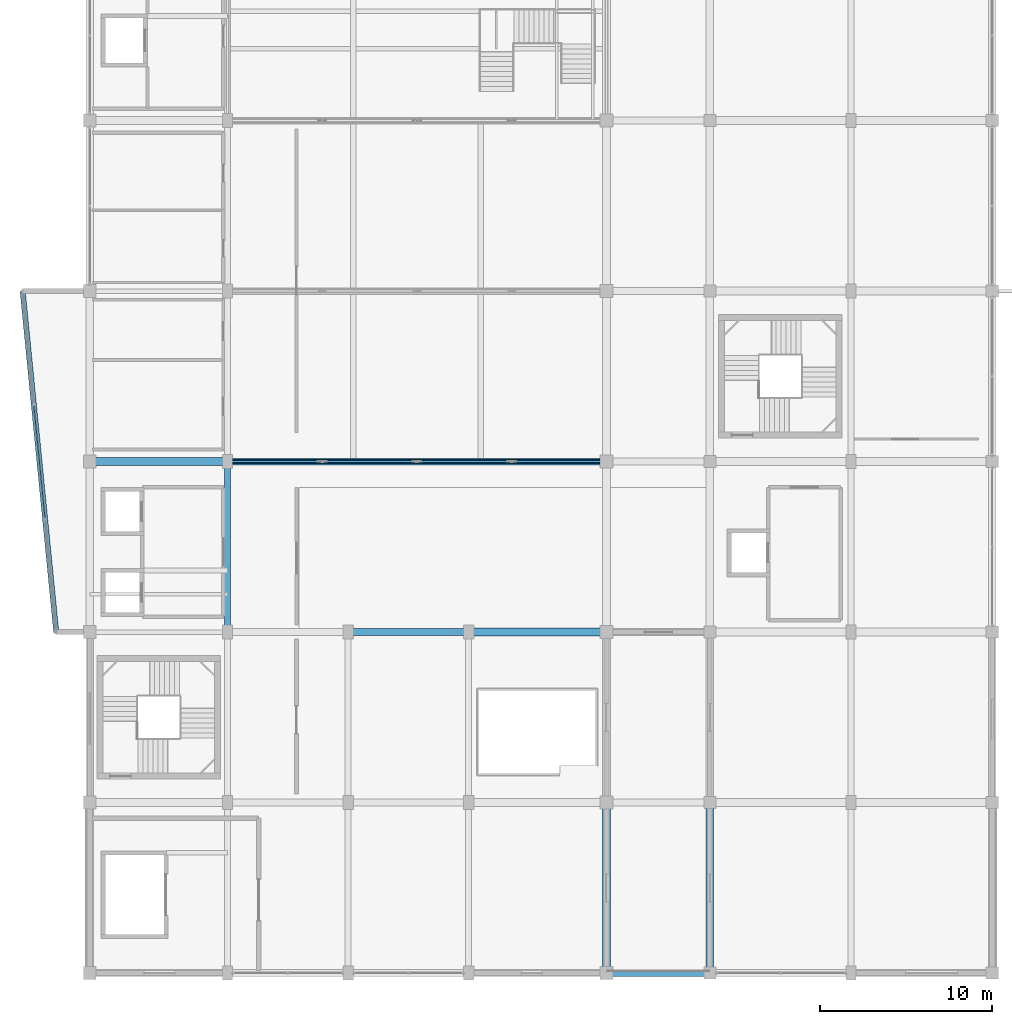
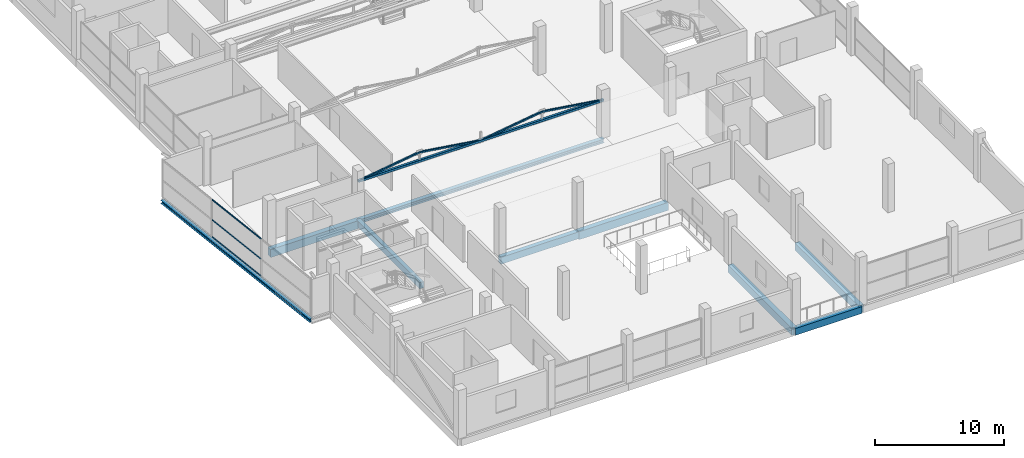
# One storey, part 9 of 49: 9 beams, 8 members, 1 element without a shape of its own.
"""IFC4 building model written with IfcOpenShell, lengths in metres."""

from ifc_helpers import new_model, si_unit, direction, frame, origin, origin_2d, place, context, subcontext, project, spatial, rectangle, hollow_rectangle, i_section, extrude, material, layer, layer_set, material_profile, profile_set, type_object, element, aggregate, save


model = new_model("IFC4")

# Units and contexts
model_context = context("Model", 3, precision=1e-05, world=origin(), true_north=direction((0.0, 1.0)))
body_context = subcontext(model_context, "Body", "Model", "MODEL_VIEW")
ifc_project = project(units=[si_unit("LENGTHUNIT", "METRE"), si_unit("AREAUNIT", "SQUARE_METRE"), si_unit("VOLUMEUNIT", "CUBIC_METRE"), si_unit("PLANEANGLEUNIT", "RADIAN"), si_unit("MASSUNIT", "GRAM", prefix="KILO")], contexts=[model_context])

# Site, building, storey
site_placement = place(None, origin())
site = spatial("IfcSite", under=ifc_project, at=site_placement, CompositionType="ELEMENT")
building_placement = place(site_placement, origin())
building = spatial("IfcBuilding", under=site, at=building_placement, Name="Sillaruma Civic Art Gallery", CompositionType="ELEMENT")
storey_placement = place(building_placement, frame((0.0, 0.0, 33.14990234375)))
storey = spatial("IfcBuildingStorey", under=building, at=storey_placement, Name="L06", CompositionType="ELEMENT", Elevation=33.14990234375)

# Beams
ifc_material_1 = material(Name="Concrete H35 (35 MPa)", Category="concrete")
ifc_material_profile_1 = material_profile(ifc_material_1, rectangle(XDim=0.35009765625, YDim=0.60009765625, at=origin_2d()), Name="RCB350x600")
ifc_profile_set_1 = profile_set([ifc_material_profile_1], Name="Concrete H35 (35 MPa)")
beam_type_1 = type_object("IfcBeamType", Name="BM-BEAM-RCB350x600", PredefinedType="BEAM", material=ifc_profile_set_1)
beam_1_placement = place(storey_placement, frame((70.0, 39.60009765625, -0.539794921875), z_axis=(0.0, 1.0, 0.0), x_axis=(-1.0, 0.0, 0.0)))
element("IfcBeam", 1, at=beam_1_placement, inside=storey, type_object=beam_type_1, Name="Beam BM-06 (L05:G:5-6)", PredefinedType="BEAM", context=body_context, shape_type="SweptSolid", body=[
    extrude(rectangle(XDim=0.35009765625, YDim=0.60009765625, at=origin_2d()), origin(), (0.0, 0.0, 1.0), 9.89990234375),
])
ifc_material_profile_2 = material_profile(ifc_material_1, rectangle(XDim=0.39990234375, YDim=0.64990234375, at=origin_2d()), Name="RCB400x650")
ifc_profile_set_2 = profile_set([ifc_material_profile_2], Name="Concrete H35 (35 MPa)")
beam_type_2 = type_object("IfcBeamType", Name="BM-BEAM-RCB400x650", PredefinedType="BEAM", material=ifc_profile_set_2)
beam_2_placement = place(storey_placement, frame((77.0, 39.60009765625, -0.56494140625), z_axis=(1.0, 0.0, 0.0), x_axis=(0.0, 1.0, 0.0)))
element("IfcBeam", 2, at=beam_2_placement, inside=storey, type_object=beam_type_2, Name="Beam BM-05 (L05:5:H-J)", PredefinedType="BEAM", context=body_context, shape_type="SweptSolid", body=[
    extrude(rectangle(XDim=0.39990234375, YDim=0.64990234375, at=origin_2d()), origin(), (0.0, 0.0, 1.0), 7.0),
])
ifc_material_2 = material(Name="Concrete H40 (40 MPa)", Category="concrete")
ifc_material_profile_3 = material_profile(ifc_material_2, rectangle(XDim=0.449951171875, YDim=0.75, at=origin_2d()), Name="RCB450x750")
ifc_profile_set_3 = profile_set([ifc_material_profile_3], Name="Concrete H40 (40 MPa)")
beam_type_3 = type_object("IfcBeamType", Name="BM-BEAM-RCB450x750", PredefinedType="BEAM", material=ifc_profile_set_3)
for number, where, z_axis, x_axis, name in (
    (3, (84.0, 39.60009765625, -0.614990234375), (1.0, 0.0, 0.0), (0.0, 1.0, 0.0), "Beam BM-03 (L05:5:J-K)"),
    (4, (62.0, 49.5, -0.614990234375), (1.0, 0.0, 0.0), (0.0, 1.0, 0.0), "Beam BM-03 (L05:6:F-G)"),
):
    element("IfcBeam", number, at=place(storey_placement, frame(where, z_axis=z_axis, x_axis=x_axis)), inside=storey, type_object=beam_type_3, Name=name, PredefinedType="BEAM", context=body_context, shape_type="SweptSolid", body=[
        extrude(rectangle(XDim=0.449951171875, YDim=0.75, at=origin_2d()), origin(), (0.0, 0.0, 1.0), 8.0),
    ])
ifc_material_3 = material(Name="Structural Steel ASTM A992 Gr.50", Category="steel")
ifc_material_profile_4 = material_profile(ifc_material_3, i_section(OverallWidth=0.305908203125, OverallDepth=0.31103515625, WebThickness=0.010986328125, FlangeThickness=0.01708984375, FilletRadius=0.014892578125, at=origin_2d()), Name="W310x107")
ifc_profile_set_4 = profile_set([ifc_material_profile_4], Name="Structural Steel ASTM A992 Gr.50")
beam_type_4 = type_object("IfcBeamType", Name="BM-PROW-W310x107", PredefinedType="SPANDREL", material=ifc_profile_set_4)
beam_3_placement = place(storey_placement, frame((60.050048828125, 39.60009765625, -0.3955078125), z_axis=(-0.098009206569, 0.995185508047, 0.0), x_axis=(-0.995185508047, -0.098009206569, 0.0)))
element("IfcBeam", 5, at=beam_3_placement, inside=storey, type_object=beam_type_4, Name="Angled Prow Edge Spandrel (PRW-L06-W-FLR)", PredefinedType="SPANDREL", context=body_context, shape_type="SweptSolid", body=[
    extrude(i_section(OverallWidth=0.305908203125, OverallDepth=0.31103515625, WebThickness=0.010986328125, FlangeThickness=0.01708984375, FilletRadius=0.014892578125, at=origin_2d()), origin(), (0.0, 0.0, 1.0), 19.8955078125),
])
ifc_material_profile_5 = material_profile(ifc_material_1, rectangle(XDim=0.39990234375, YDim=0.64990234375, at=origin_2d()), Name="RCB400x650")
ifc_profile_set_5 = profile_set([ifc_material_profile_5], Name="Concrete H35 (35 MPa)")
beam_type_5 = type_object("IfcBeamType", Name="BM-SPANDREL-RCB400x650", PredefinedType="SPANDREL", material=ifc_profile_set_5)
beam_4_placement = place(storey_placement, frame((92.0, 19.800048828125, -0.56494140625), z_axis=(1.0, 0.0, 0.0), x_axis=(0.0, 1.0, 0.0)))
element("IfcBeam", 6, at=beam_4_placement, inside=storey, type_object=beam_type_5, Name="Beam BS-02 (L05:3:K-L)", PredefinedType="SPANDREL", context=body_context, shape_type="SweptSolid", body=[
    extrude(rectangle(XDim=0.39990234375, YDim=0.64990234375, at=origin_2d()), origin(), (0.0, 0.0, 1.0), 6.0),
])
ifc_material_profile_6 = material_profile(ifc_material_1, rectangle(XDim=0.449951171875, YDim=0.699951171875, at=origin_2d()), Name="RCB450x700")
ifc_profile_set_6 = profile_set([ifc_material_profile_6], Name="Concrete H35 (35 MPa)")
beam_type_6 = type_object("IfcBeamType", Name="BM-SPANDREL-RCB450x700", PredefinedType="SPANDREL", material=ifc_profile_set_6)
for number, where, z_axis, x_axis, name in (
    (7, (92.0, 19.800048828125, -0.58984375), (0.0, 1.0, 0.0), (-1.0, 0.0, 0.0), "Beam BS-03 (L05:K:3-4)"),
    (8, (98.0, 19.800048828125, -0.58984375), (0.0, 1.0, 0.0), (-1.0, 0.0, 0.0), "Beam BS-03 (L05:L:3-4)"),
):
    element("IfcBeam", number, at=place(storey_placement, frame(where, z_axis=z_axis, x_axis=x_axis)), inside=storey, type_object=beam_type_6, Name=name, PredefinedType="SPANDREL", context=body_context, shape_type="SweptSolid", body=[
        extrude(rectangle(XDim=0.449951171875, YDim=0.699951171875, at=origin_2d()), origin(), (0.0, 0.0, 1.0), 9.89990234375),
    ])
ifc_material_profile_7 = material_profile(ifc_material_3, i_section(OverallWidth=0.37109375, OverallDepth=0.364013671875, WebThickness=0.01318359375, FlangeThickness=0.021728515625, FilletRadius=0.014892578125, at=origin_2d()), Name="W360x162")
ifc_profile_set_7 = profile_set([ifc_material_profile_7], Name="Structural Steel ASTM A992 Gr.50")
beam_type_7 = type_object("IfcBeamType", Name="BM-TRTOP-W360x162", PredefinedType="BEAM", material=ifc_profile_set_7)
beam_5_placement = place(storey_placement, frame((70.0, 49.5, -0.421875), z_axis=(1.0, 0.0, 0.0), x_axis=(0.0, 1.0, 0.0)))
element("IfcBeam", 9, at=beam_5_placement, inside=storey, type_object=beam_type_7, Name="Warren Truss Top Chord TR-L05-1", PredefinedType="BEAM", context=body_context, shape_type="SweptSolid", body=[
    extrude(i_section(OverallWidth=0.37109375, OverallDepth=0.364013671875, WebThickness=0.01318359375, FlangeThickness=0.021728515625, FilletRadius=0.014892578125, at=origin_2d()), origin(), (0.0, 0.0, 1.0), 22.0),
])

# Members
ifc_material_4 = material(Name="Structural Steel ASTM A500 Gr.C", Category="steel")
ifc_material_profile_8 = material_profile(ifc_material_4, hollow_rectangle(XDim=0.14990234375, YDim=0.14990234375, WallThickness=0.010009765625, InnerFilletRadius=0.010009765625, OuterFilletRadius=0.02001953125, at=origin_2d()), Name="HSS150x150x10")
ifc_profile_set_8 = profile_set([ifc_material_profile_8], Name="Structural Steel ASTM A500 Gr.C")
member_type_1 = type_object("IfcMemberType", Name="MEM-BRACE-HSS150x150x10", PredefinedType="BRACE", material=ifc_profile_set_8)
for number, where, z_axis, x_axis, name in (
    (10, (70.0, 49.5, 3.360107421875), (0.989377720719, 0.0, 0.145367553959), (0.0, 1.0, 0.0), "Warren Truss Diagonal TR-L06-1-D1"),
    (11, (75.5, 49.5, 4.168212890625), (0.989377720719, 0.0, -0.145367553959), (0.0, 1.0, 0.0), "Warren Truss Diagonal TR-L06-1-D2"),
    (12, (81.0, 49.5, 3.360107421875), (0.989377720719, 0.0, 0.145367553959), (0.0, 1.0, 0.0), "Warren Truss Diagonal TR-L06-1-D3"),
    (13, (86.5, 49.5, 4.168212890625), (0.989377720719, 0.0, -0.145367553959), (0.0, 1.0, 0.0), "Warren Truss Diagonal TR-L06-1-D4"),
):
    element("IfcMember", number, at=place(storey_placement, frame(where, z_axis=z_axis, x_axis=x_axis)), inside=storey, type_object=member_type_1, Name=name, PredefinedType="BRACE", context=body_context, shape_type="SweptSolid", body=[
        extrude(hollow_rectangle(XDim=0.14990234375, YDim=0.14990234375, WallThickness=0.010009765625, InnerFilletRadius=0.010009765625, OuterFilletRadius=0.02001953125, at=origin_2d()), origin(), (0.0, 0.0, 1.0), 5.55908203125),
    ])
ifc_material_profile_9 = material_profile(ifc_material_4, hollow_rectangle(XDim=0.219970703125, YDim=0.219970703125, WallThickness=0.012451171875, InnerFilletRadius=0.012451171875, OuterFilletRadius=0.02490234375, at=origin_2d()), Name="HSS220x220x12.5")
ifc_profile_set_9 = profile_set([ifc_material_profile_9], Name="Structural Steel ASTM A500 Gr.C")
member_type_2 = type_object("IfcMemberType", Name="MEM-CHORD-HSS220x220x12.5", PredefinedType="CHORD", material=ifc_profile_set_9)
member_1_placement = place(storey_placement, frame((70.0, 49.5, 3.360107421875), z_axis=(1.0, 0.0, 0.0), x_axis=(0.0, 1.0, 0.0)))
element("IfcMember", 14, at=member_1_placement, inside=storey, type_object=member_type_2, Name="Warren Truss Bottom Chord TR-L06-1", PredefinedType="CHORD", context=body_context, shape_type="SweptSolid", body=[
    extrude(hollow_rectangle(XDim=0.219970703125, YDim=0.219970703125, WallThickness=0.012451171875, InnerFilletRadius=0.012451171875, OuterFilletRadius=0.02490234375, at=origin_2d()), origin(), (0.0, 0.0, 1.0), 22.0),
])

# Curtain wall, members
ifc_material_5 = material(Name="Thermally Broken Extruded Aluminium 6063-T6", Category="aluminium")
ifc_layer = layer(ifc_material_5, 0.179931640625, Name="Thermally Broken Extruded Aluminium 6063-T6")
ifc_layer_set = layer_set([ifc_layer], Name="Thermally Broken Extruded Aluminium 6063-T6")
curtain_wall_type = type_object("IfcCurtainWallType", Name="CW-UNI-41", PredefinedType="NOTDEFINED", material=ifc_layer_set)
curtain_wall_placement = place(storey_placement, origin())
curtain_wall = element("IfcCurtainWall", 15, at=curtain_wall_placement, inside=storey, type_object=curtain_wall_type, Name="Unitised Curtain Wall CW-41 (CW-PRW-L06-W-ANG)", PredefinedType="NOTDEFINED")
ifc_material_profile_10 = material_profile(ifc_material_5, hollow_rectangle(XDim=0.06494140625, YDim=0.1201171875, WallThickness=0.00341796875, at=origin_2d()), Name="CWT65x120")
ifc_profile_set_10 = profile_set([ifc_material_profile_10], Name="Thermally Broken Extruded Aluminium 6063-T6")
member_type_3 = type_object("IfcMemberType", Name="MEM-TRN-CWT65x120", PredefinedType="USERDEFINED", material=ifc_profile_set_10)
member_2_placement = place(storey_placement, frame((58.75341796875, 52.76513671875, 0.03271484375), z_axis=(0.098000630062, -0.995186352653, 0.0), x_axis=(0.995186352653, 0.098000630062, 0.0)))
member_2 = element("IfcMember", 16, at=member_2_placement, type_object=member_type_3, Name="CW-41 transom 2.1", ObjectType="TRANSOM", PredefinedType="USERDEFINED", context=body_context, shape_type="SweptSolid", body=[
    extrude(hollow_rectangle(XDim=0.06494140625, YDim=0.1201171875, WallThickness=0.00341796875, at=origin_2d()), origin(), (0.0, 0.0, 1.0), 6.561767578125),
])
member_3_placement = place(storey_placement, frame((58.75341796875, 52.76513671875, 1.642333984375), z_axis=(0.098000630062, -0.995186352653, 0.0), x_axis=(0.995186352653, 0.098000630062, 0.0)))
member_3 = element("IfcMember", 17, at=member_3_placement, type_object=member_type_3, Name="CW-41 transom 2.2", ObjectType="TRANSOM", PredefinedType="USERDEFINED", context=body_context, shape_type="SweptSolid", body=[
    extrude(hollow_rectangle(XDim=0.06494140625, YDim=0.1201171875, WallThickness=0.00341796875, at=origin_2d()), origin(), (0.0, 0.0, 1.0), 6.561767578125),
])
member_4_placement = place(storey_placement, frame((58.75341796875, 52.76513671875, 3.53759765625), z_axis=(0.098000630062, -0.995186352653, 0.0), x_axis=(0.995186352653, 0.098000630062, 0.0)))
member_4 = element("IfcMember", 18, at=member_4_placement, type_object=member_type_3, Name="CW-41 transom 2.3", ObjectType="TRANSOM", PredefinedType="USERDEFINED", context=body_context, shape_type="SweptSolid", body=[
    extrude(hollow_rectangle(XDim=0.06494140625, YDim=0.1201171875, WallThickness=0.00341796875, at=origin_2d()), origin(), (0.0, 0.0, 1.0), 6.561767578125),
])
aggregate(curtain_wall, [member_2, member_3, member_4])

save(model, "model.ifc")
